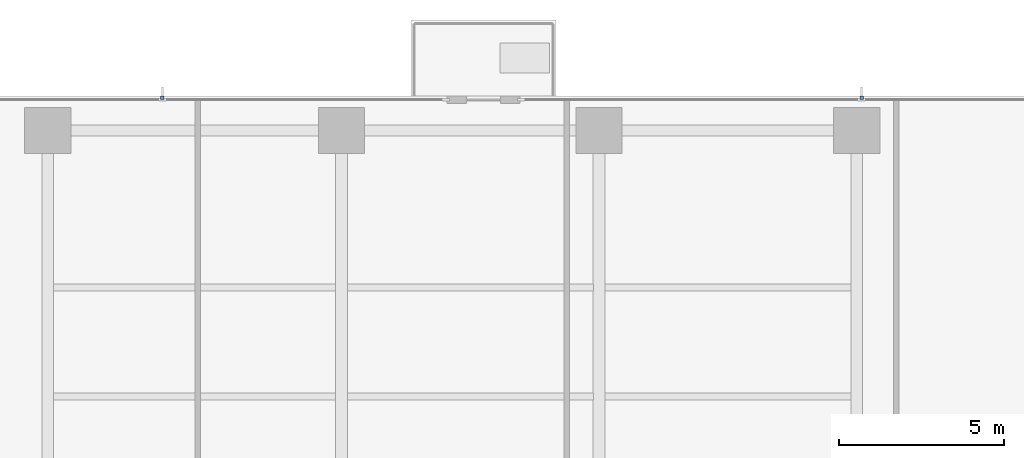
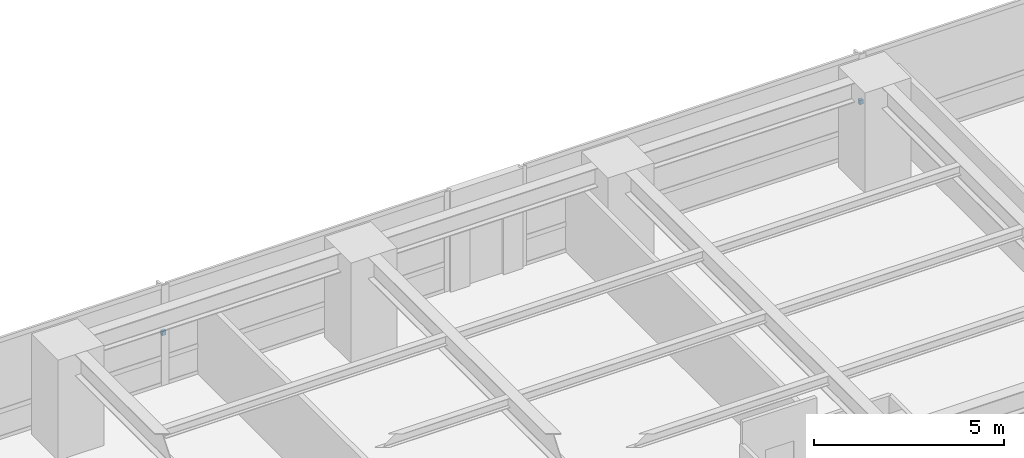
# One storey, part 14 of 17: 2 discrete accessories.
"""IFC4 building model written with IfcOpenShell, lengths in metres."""

import ifcopenshell
import ifcopenshell.guid

model = None  # the IFC model being written
_history = None  # IfcOwnerHistory: only IFC2X3 demands one
_inside = {}  # id of a spatial element -> (the spatial element, [elements in it])
_under = {}  # id of a project, library or spatial element -> (it, [spatial elements below it])
_declared = {}  # id of a project -> (the project, [libraries it declares])
_typed = {}  # id of a type object -> (the type object, [elements of that type])
_made_of = {}  # id of a material, layer set ... -> (it, [elements and type objects made of it])


def new_model(schema):
    """Start an empty IFC model of exactly this schema.

    Asked for "IFC4X3", IfcOpenShell would pick the latest addendum, in which some entities
    have other attributes; the version numbers below select the first issue.
    IFC2X3 requires an IfcOwnerHistory on every rooted entity: one is made here for all.
    """
    global model, _history
    if schema == "IFC4X3":
        model = ifcopenshell.file(schema_version=(4, 3, 0, 0))
    else:
        model = ifcopenshell.file(schema=schema)
    _inside.clear()
    _under.clear()
    _declared.clear()
    _typed.clear()
    _made_of.clear()
    _history = None
    if model.schema == "IFC2X3":
        org = make("IfcOrganization", Name="unknown")
        user = make(
            "IfcPersonAndOrganization",
            ThePerson=make("IfcPerson", FamilyName="unknown"),
            TheOrganization=org,
        )
        app = make(
            "IfcApplication",
            ApplicationDeveloper=org,
            Version="unknown",
            ApplicationFullName="unknown",
            ApplicationIdentifier="unknown",
        )
        _history = make(
            "IfcOwnerHistory",
            OwningUser=user,
            OwningApplication=app,
            ChangeAction="ADDED",
            CreationDate=0,
        )
    return model


def make(cls, **values):
    """One entity of the class cls with the attributes given. An attribute that is None is left unset."""
    return model.create_entity(
        cls, **{name: value for name, value in values.items() if value is not None}
    )


def rooted(cls, **values):
    """An entity with a GlobalId (a new one), such as an element, a storey or a relation."""
    return make(cls, GlobalId=ifcopenshell.guid.new(), OwnerHistory=_history, **values)


def si_unit(unit_type, name, prefix=None):
    """IfcSIUnit, for example si_unit("LENGTHUNIT", "METRE", prefix="MILLI")."""
    return make("IfcSIUnit", UnitType=unit_type, Prefix=prefix, Name=name)


def assignment(units):
    """IfcUnitAssignment: the units of a project."""
    return None if units is None else make("IfcUnitAssignment", Units=units)


def point(xyz):
    """IfcCartesianPoint."""
    return None if xyz is None else make("IfcCartesianPoint", Coordinates=xyz)


def direction(xyz):
    """IfcDirection."""
    return None if xyz is None else make("IfcDirection", DirectionRatios=xyz)


def frame(location, z_axis=None, x_axis=None):
    """IfcAxis2Placement3D, a coordinate frame: its origin and axes. An axis left out is left unset."""
    return make(
        "IfcAxis2Placement3D",
        Location=point(location),
        Axis=direction(z_axis),
        RefDirection=direction(x_axis),
    )


def origin():
    """The frame at (0, 0, 0) with its axes left unset."""
    return frame((0.0, 0.0, 0.0))


def place(relative_to, where):
    """IfcLocalPlacement: puts the frame where relative to a parent placement (None: the world)."""
    return make(
        "IfcLocalPlacement", PlacementRelTo=relative_to, RelativePlacement=where
    )


def context(
    kind, dimensions, precision=None, world=None, true_north=None, identifier=None
):
    """IfcGeometricRepresentationContext, for example the 3D "Model" context."""
    return make(
        "IfcGeometricRepresentationContext",
        ContextIdentifier=identifier,
        ContextType=kind,
        CoordinateSpaceDimension=dimensions,
        Precision=precision,
        WorldCoordinateSystem=world,
        TrueNorth=true_north,
    )


def subcontext(parent, identifier, kind, view, scale=None):
    """IfcGeometricRepresentationSubContext, for example "Body" below "Model"."""
    return make(
        "IfcGeometricRepresentationSubContext",
        ContextIdentifier=identifier,
        ContextType=kind,
        ParentContext=parent,
        TargetScale=scale,
        TargetView=view,
    )


def project(units=None, contexts=None):
    """IfcProject with its units and contexts."""
    return rooted(
        "IfcProject",
        Name="project",
        RepresentationContexts=contexts,
        UnitsInContext=assignment(units),
    )


def spatial(cls, under=None, at=None, **own):
    """A site, building, storey or space (cls), placed at a placement, below another one or the project."""
    s = rooted(cls, ObjectPlacement=at, **own)
    if under is not None:
        _under.setdefault(under.id(), (under, []))[1].append(s)
    return s


def polyline(points):
    """IfcPolyline through the points."""
    return make("IfcPolyline", Points=[point(p) for p in points])


def outline(outer, holes=None, kind="AREA"):
    """IfcArbitraryClosedProfileDef: a profile drawn as a closed curve; with holes, ...WithVoids."""
    if holes is None:
        return make("IfcArbitraryClosedProfileDef", ProfileType=kind, OuterCurve=outer)
    return make(
        "IfcArbitraryProfileDefWithVoids",
        ProfileType=kind,
        OuterCurve=outer,
        InnerCurves=holes,
    )


def extrude(swept, where, along, depth):
    """IfcExtrudedAreaSolid: the profile swept, set in the frame where, extruded along a direction by depth."""
    return make(
        "IfcExtrudedAreaSolid",
        SweptArea=swept,
        Position=where,
        ExtrudedDirection=direction(along),
        Depth=depth,
    )


def shape(context_of_items, identifier, shape_type, items):
    """IfcShapeRepresentation: the items that make up one representation, for example the "Body"."""
    return make(
        "IfcShapeRepresentation",
        ContextOfItems=context_of_items,
        RepresentationIdentifier=identifier,
        RepresentationType=shape_type,
        Items=items,
    )


def material(Name=None, Category=None):
    """IfcMaterial."""
    return make("IfcMaterial", Name=Name, Category=Category)


def made_of(thing, what):
    """Note that an element or type object is made of a material, layer set ...; save() writes the relation."""
    if what is not None:
        _made_of.setdefault(what.id(), (what, []))[1].append(thing)
    return thing


def type_object(cls, material=None, **own):
    """A type object (cls), such as IfcWallType, which elements share."""
    return made_of(rooted(cls, **own), material)


def element(
    cls,
    number,
    at=None,
    inside=None,
    cuts=None,
    type_object=None,
    material=None,
    context=None,
    identifier="Body",
    shape_type=None,
    held_by="IfcProductDefinitionShape",
    body=None,
    shapes=None,
    **own,
):
    """One element of the class cls, such as IfcWall. Its Tag is "e" and its number.

    at: its placement. inside: the storey or other place that contains it. cuts: it is an
    opening in that element (IfcRelVoidsElement). A single representation is given by context,
    identifier, shape_type and body (its items); several are given by shapes. held_by: the class
    of the entity that holds the representations. save() writes the other relations.
    """
    e = rooted(cls, Tag="e%d" % number, ObjectPlacement=at, **own)
    if body is not None:
        shapes = [shape(context, identifier, shape_type, body)]
    if shapes is not None:
        e.Representation = make(held_by, Representations=shapes)
    if inside is not None:
        _inside.setdefault(inside.id(), (inside, []))[1].append(e)
    if cuts is not None:
        rooted(
            "IfcRelVoidsElement", RelatingBuildingElement=cuts, RelatedOpeningElement=e
        )
    if type_object is not None:
        _typed.setdefault(type_object.id(), (type_object, []))[1].append(e)
    return made_of(e, material)


def aggregate(whole, parts):
    """IfcRelAggregates: a whole, such as a stair, and the parts it consists of."""
    return rooted("IfcRelAggregates", RelatingObject=whole, RelatedObjects=parts)


def save(model, path):
    """Write the relations noted so far, then the file.

    IfcRelAggregates (storeys below a building ...), IfcRelContainedInSpatialStructure (elements
    in a storey), IfcRelDefinesByType, IfcRelAssociatesMaterial and IfcRelDeclares: one each for
    every whole, place, type object, material and project.
    """
    for whole, parts in _under.values():
        aggregate(whole, parts)
    for where, things in _inside.values():
        rooted(
            "IfcRelContainedInSpatialStructure",
            RelatedElements=things,
            RelatingStructure=where,
        )
    for kind, things in _typed.values():
        rooted("IfcRelDefinesByType", RelatedObjects=things, RelatingType=kind)
    for what, things in _made_of.values():
        rooted("IfcRelAssociatesMaterial", RelatedObjects=things, RelatingMaterial=what)
    for by, libraries in _declared.values():
        rooted("IfcRelDeclares", RelatingContext=by, RelatedDefinitions=libraries)
    model.write(path)


model = new_model("IFC4")

# Units and contexts
model_context = context("Model", 3, precision=1e-05, world=origin(), true_north=direction((0.0, 1.0)))
body_context = subcontext(model_context, "Body", "Model", "MODEL_VIEW")
ifc_project = project(units=[si_unit("LENGTHUNIT", "METRE"), si_unit("AREAUNIT", "SQUARE_METRE"), si_unit("VOLUMEUNIT", "CUBIC_METRE"), si_unit("PLANEANGLEUNIT", "RADIAN"), si_unit("MASSUNIT", "GRAM", prefix="KILO")], contexts=[model_context])

# Site, building, storey
site_placement = place(None, origin())
site = spatial("IfcSite", under=ifc_project, at=site_placement, CompositionType="ELEMENT")
building_placement = place(site_placement, origin())
building = spatial("IfcBuilding", under=site, at=building_placement, Name="Qalmaran Belvedere Hotel", CompositionType="ELEMENT")
storey_placement = place(building_placement, frame((0.0, 0.0, 47.39990234375)))
storey = spatial("IfcBuildingStorey", under=building, at=storey_placement, Name="L11", CompositionType="ELEMENT", Elevation=47.39990234375)

# Discrete accessories
ifc_material = material(Name="Stainless Steel 1.4401", Category="steel")
discrete_accessory_type = type_object("IfcDiscreteAccessoryType", Name="BRK-FIN-SS316", PredefinedType="BRACKET", material=ifc_material)
discrete_accessory_1_placement = place(storey_placement, frame((0.0, 0.0, 1.56005859375)))
element("IfcDiscreteAccessory", 1, at=discrete_accessory_1_placement, inside=storey, type_object=discrete_accessory_type, Name="L11 Fin Bracket 1", PredefinedType="BRACKET", context=body_context, shape_type="SweptSolid", body=[
    extrude(outline(polyline([(23.830078125, 48.39501953125), (23.830078125, 48.492431640625), (23.719970703125, 48.492431640625), (23.719970703125, 48.39501953125), (23.830078125, 48.39501953125)])), origin(), (0.0, 0.0, 1.0), 0.14013671875),
])
discrete_accessory_2_placement = place(storey_placement, frame((0.0, 0.0, 1.56005859375)))
element("IfcDiscreteAccessory", 2, at=discrete_accessory_2_placement, inside=storey, type_object=discrete_accessory_type, Name="L11 Fin Bracket 1", PredefinedType="BRACKET", context=body_context, shape_type="SweptSolid", body=[
    extrude(outline(polyline([(45.0048828125, 48.39501953125), (45.0048828125, 48.492431640625), (44.89501953125, 48.492431640625), (44.89501953125, 48.39501953125), (45.0048828125, 48.39501953125)])), origin(), (0.0, 0.0, 1.0), 0.14013671875),
])

save(model, "model.ifc")
